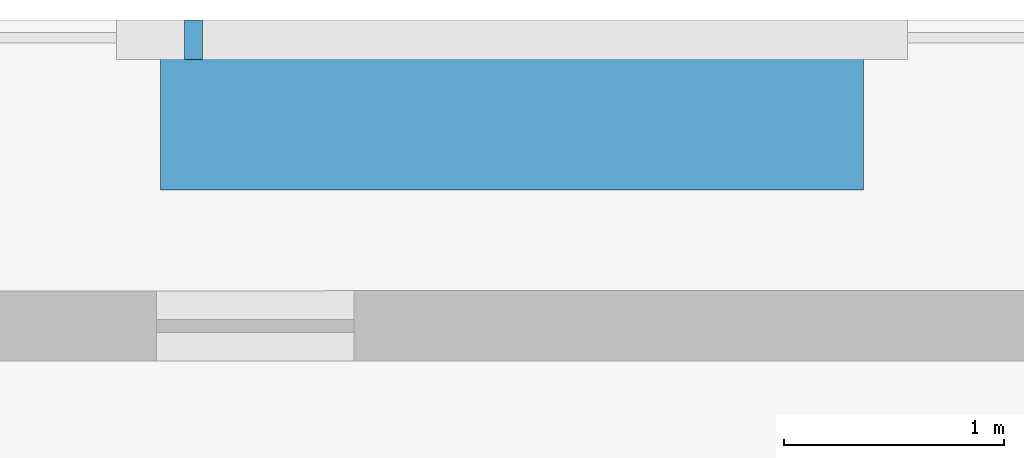
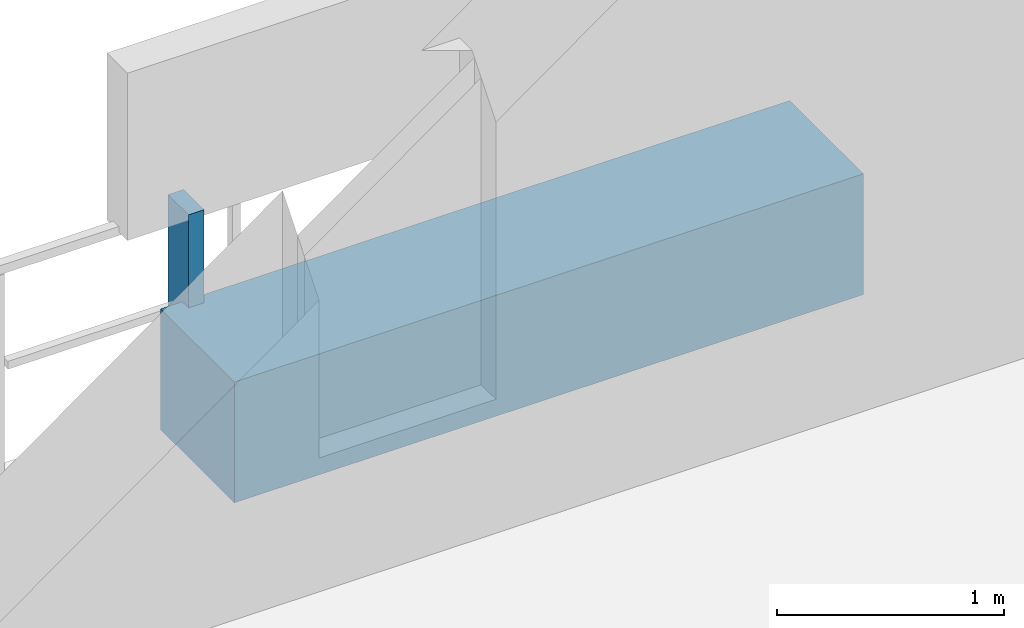
# One storey, part 27 of 32: 2 discrete accessories.
"""IFC4 building model written with IfcOpenShell, lengths in metres."""

from ifc_helpers import new_model, si_unit, direction, frame, origin, origin_2d, place, context, subcontext, project, spatial, rectangle, extrude, material, type_object, element, save


model = new_model("IFC4")

# Units and contexts
model_context = context("Model", 3, precision=1e-05, world=origin(), true_north=direction((0.0, 1.0)))
body_context = subcontext(model_context, "Body", "Model", "MODEL_VIEW")
ifc_project = project(units=[si_unit("LENGTHUNIT", "METRE"), si_unit("AREAUNIT", "SQUARE_METRE"), si_unit("VOLUMEUNIT", "CUBIC_METRE"), si_unit("PLANEANGLEUNIT", "RADIAN"), si_unit("MASSUNIT", "GRAM", prefix="KILO")], contexts=[model_context])

# Site, building, storey
site_placement = place(None, origin())
site = spatial("IfcSite", under=ifc_project, at=site_placement, CompositionType="ELEMENT")
building_placement = place(site_placement, origin())
building = spatial("IfcBuilding", under=site, at=building_placement, Name="Thornwick Lancets Civic Towers", CompositionType="ELEMENT")
storey_placement = place(building_placement, frame((0.0, 0.0, 178.5)))
storey = spatial("IfcBuildingStorey", under=building, at=storey_placement, Name="L47", CompositionType="ELEMENT", Elevation=178.5)

# Discrete accessories
ifc_material_1 = material(Name="Planted terracotta greenery planter", Category="masonry")
discrete_accessory_type_1 = type_object("IfcDiscreteAccessoryType", Name="ACC_PLANTER_BOX", PredefinedType="USERDEFINED", material=ifc_material_1)
discrete_accessory_1_placement = place(storey_placement, frame((25.5, 51.699951171875, 0.0), z_axis=(0.0, 0.0, 1.0), x_axis=(1.0, 0.0, 0.0)))
element("IfcDiscreteAccessory", 1, at=discrete_accessory_1_placement, inside=storey, type_object=discrete_accessory_type_1, Name="L47 Tower A Balcony Greenery Planter N", ObjectType="PLANTER", PredefinedType="USERDEFINED", context=body_context, shape_type="SweptSolid", body=[
    extrude(rectangle(XDim=3.199951171875, YDim=0.64990234375, at=origin_2d()), origin(), (0.0, 0.0, 1.0), 0.64990234375),
])
ifc_material_2 = material(Name="Stainless steel S355", Category="steel")
discrete_accessory_type_2 = type_object("IfcDiscreteAccessoryType", Name="ACC_SCREEN_BRACKET", PredefinedType="BRACKET", material=ifc_material_2)
discrete_accessory_2_placement = place(storey_placement, frame((24.050048828125, 52.06005859375, 0.0), z_axis=(0.0, 0.0, 1.0), x_axis=(1.0, 0.0, 0.0)))
element("IfcDiscreteAccessory", 2, at=discrete_accessory_2_placement, inside=storey, type_object=discrete_accessory_type_2, Name="L47 Tower A Balcony Screen Stanchion Bracket N-1", PredefinedType="BRACKET", context=body_context, shape_type="SweptSolid", body=[
    extrude(rectangle(XDim=0.080078125, YDim=0.179931640625, at=origin_2d()), origin(), (0.0, 0.0, 1.0), 1.14990234375),
])

save(model, "model.ifc")
